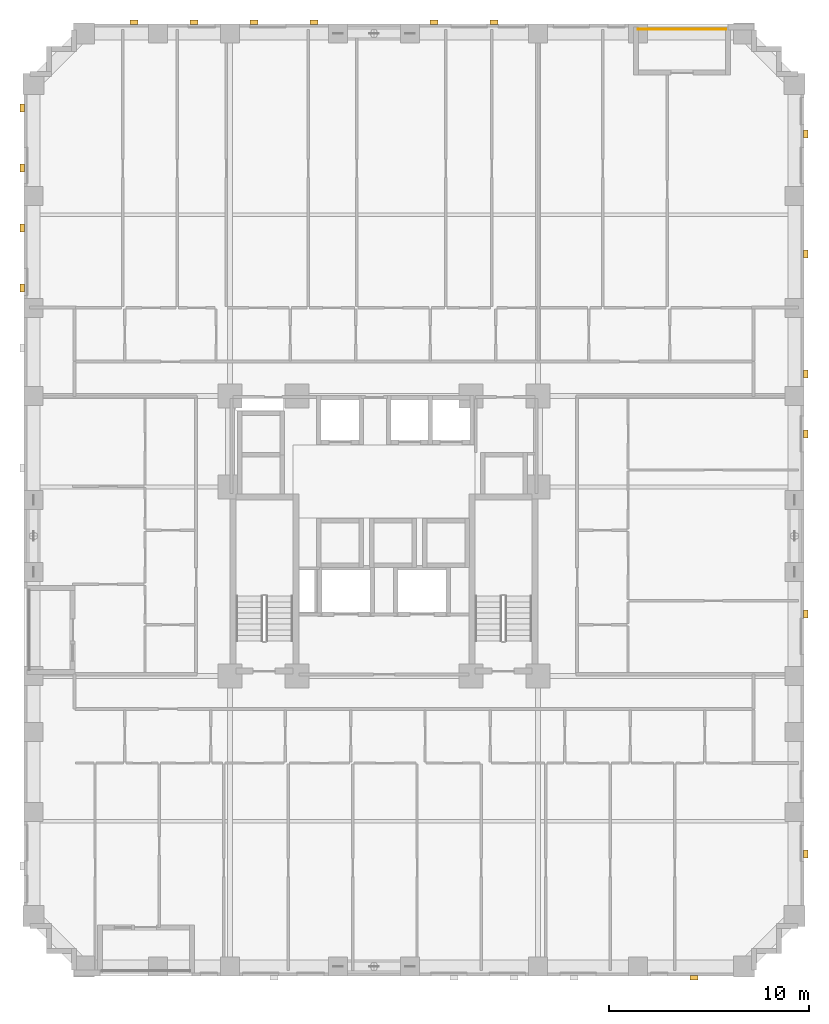
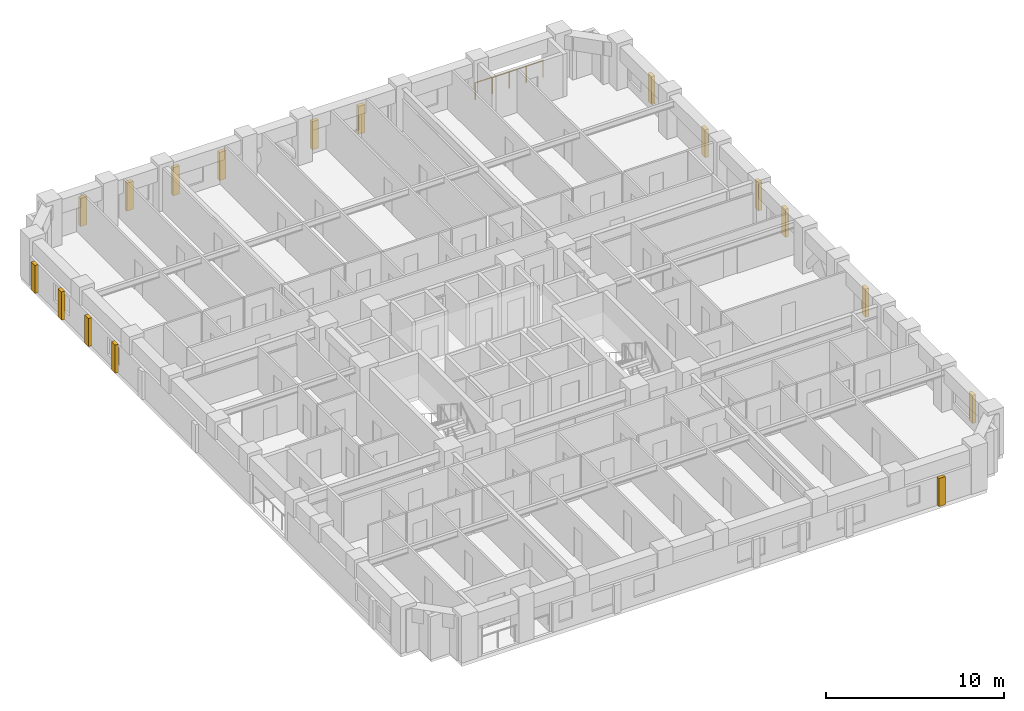
# One storey, part 14 of 14: 17 coverings, 1 railing.
"""IFC4 building model written with IfcOpenShell, lengths in metres."""

from ifc_helpers import new_model, si_unit, derived_unit, direction, frame, origin, origin_2d, place, context, subcontext, project, spatial, rectangle, circle, extrude, material, layer, layer_set, type_object, element, save


model = new_model("IFC4")

# Units and contexts
model_context = context("Model", 3, precision=1e-05, world=origin(), true_north=direction((0.0, 1.0)))
body_context = subcontext(model_context, "Body", "Model", "MODEL_VIEW")
ifc_project = project(units=[si_unit("LENGTHUNIT", "METRE"), si_unit("AREAUNIT", "SQUARE_METRE"), si_unit("VOLUMEUNIT", "CUBIC_METRE"), si_unit("PLANEANGLEUNIT", "RADIAN"), si_unit("MASSUNIT", "GRAM", prefix="KILO"), derived_unit("THERMALTRANSMITTANCEUNIT", [(si_unit("MASSUNIT", "GRAM", prefix="KILO"), 1), (si_unit("TIMEUNIT", "SECOND"), -3), (si_unit("THERMODYNAMICTEMPERATUREUNIT", "KELVIN"), -1)])], contexts=[model_context])

# Site, building, storey
site_placement = place(None, origin())
site = spatial("IfcSite", under=ifc_project, at=site_placement, CompositionType="ELEMENT")
building_placement = place(site_placement, origin())
building = spatial("IfcBuilding", under=site, at=building_placement, Name="Korrvale Station Residences", CompositionType="ELEMENT")
storey_placement = place(building_placement, frame((0.0, 0.0, 29.0)))
storey = spatial("IfcBuildingStorey", under=building, at=storey_placement, Name="L06", CompositionType="ELEMENT", Elevation=29.0)

# Coverings
ifc_material_1 = material(Name="Architectural precast concrete C45/55", Category="concrete")
ifc_layer = layer(ifc_material_1, 0.219970703125, Name="Architectural precast concrete C45/55")
ifc_layer_set = layer_set([ifc_layer], Name="Architectural precast concrete C45/55")
covering_type = type_object("IfcCoveringType", Name="COV-PIER-400", PredefinedType="CLADDING", material=ifc_layer_set)
for number, where, z_axis, x_axis, name in (
    (1, (41.0, -0.090087890625, 0.02490234375), (0.0, 0.0, 1.0), (1.0, 0.0, 0.0), "L06 Architectural Precast Facade Pier 01"),
    (2, (13.0, 47.68994140625, 0.02490234375), (0.0, 0.0, 1.0), (1.0, 0.0, 0.0), "L06 Architectural Precast Facade Pier 06"),
    (3, (16.0, 47.68994140625, 0.02490234375), (0.0, 0.0, 1.0), (1.0, 0.0, 0.0), "L06 Architectural Precast Facade Pier 07"),
    (4, (19.0, 47.68994140625, 0.02490234375), (0.0, 0.0, 1.0), (1.0, 0.0, 0.0), "L06 Architectural Precast Facade Pier 08"),
    (5, (22.0, 47.68994140625, 0.02490234375), (0.0, 0.0, 1.0), (1.0, 0.0, 0.0), "L06 Architectural Precast Facade Pier 09"),
    (6, (28.0, 47.68994140625, 0.02490234375), (0.0, 0.0, 1.0), (1.0, 0.0, 0.0), "L06 Architectural Precast Facade Pier 10"),
    (7, (31.0, 47.68994140625, 0.02490234375), (0.0, 0.0, 1.0), (1.0, 0.0, 0.0), "L06 Architectural Precast Facade Pier 11"),
    (8, (7.409912109375, 34.39990234375, 0.02490234375), (0.0, 0.0, 1.0), (0.0, 1.0, 0.0), "L06 Architectural Precast Facade Pier 15"),
    (9, (7.409912109375, 37.39990234375, 0.02490234375), (0.0, 0.0, 1.0), (0.0, 1.0, 0.0), "L06 Architectural Precast Facade Pier 16"),
    (10, (7.409912109375, 40.39990234375, 0.02490234375), (0.0, 0.0, 1.0), (0.0, 1.0, 0.0), "L06 Architectural Precast Facade Pier 17"),
    (11, (7.409912109375, 43.39990234375, 0.02490234375), (0.0, 0.0, 1.0), (0.0, 1.0, 0.0), "L06 Architectural Precast Facade Pier 18"),
    (12, (46.590087890625, 42.10009765625, 0.02490234375), (0.0, 0.0, 1.0), (0.0, 1.0, 0.0), "L06 Architectural Precast Facade Pier 19"),
    (13, (46.590087890625, 36.10009765625, 0.02490234375), (0.0, 0.0, 1.0), (0.0, 1.0, 0.0), "L06 Architectural Precast Facade Pier 20"),
    (14, (46.590087890625, 30.10009765625, 0.02490234375), (0.0, 0.0, 1.0), (0.0, 1.0, 0.0), "L06 Architectural Precast Facade Pier 21"),
    (15, (46.590087890625, 27.10009765625, 0.02490234375), (0.0, 0.0, 1.0), (0.0, 1.0, 0.0), "L06 Architectural Precast Facade Pier 22"),
    (16, (46.590087890625, 18.10009765625, 0.02490234375), (0.0, 0.0, 1.0), (0.0, 1.0, 0.0), "L06 Architectural Precast Facade Pier 23"),
    (17, (46.590087890625, 6.10009765625, 0.02490234375), (0.0, 0.0, 1.0), (0.0, 1.0, 0.0), "L06 Architectural Precast Facade Pier 24"),
):
    element("IfcCovering", number, at=place(storey_placement, frame(where, z_axis=z_axis, x_axis=x_axis)), inside=storey, type_object=covering_type, Name=name, PredefinedType="CLADDING", context=body_context, shape_type="SweptSolid", body=[
        extrude(rectangle(XDim=0.419921875, YDim=0.219970703125, at=origin_2d()), origin(), (0.0, 0.0, 1.0), 1.925048828125),
    ])

# Railing
ifc_material_2 = material(Name="Powder-coated aluminium picket loggia guard", Category="aluminium")
railing_type = type_object("IfcRailingType", Name="RLG-BAL-1150", PredefinedType="GUARDRAIL", material=ifc_material_2)
railing_placement = place(storey_placement, frame((38.199951171875, 47.330078125, 0.0)))
element("IfcRailing", 18, at=railing_placement, inside=storey, type_object=railing_type, Name="L06 Recessed Loggia Guardrail BAL-L06-N1", PredefinedType="GUARDRAIL", context=body_context, shape_type="SweptSolid", body=[
    extrude(circle(Radius=0.02392578125, at=origin_2d()), frame((0.0, 0.0, 1.1259765625), z_axis=(1.0, 0.0, 0.0), x_axis=(0.0, 1.0, 0.0)), (0.0, 0.0, 1.0), 4.400146484375),
    extrude(circle(Radius=0.02099609375, at=origin_2d()), origin(), (0.0, 0.0, 1.0), 1.101806640625),
    extrude(circle(Radius=0.02099609375, at=origin_2d()), frame((1.10009765625, 0.0, 0.0)), (0.0, 0.0, 1.0), 1.101806640625),
    extrude(circle(Radius=0.02099609375, at=origin_2d()), frame((2.2001953125, 0.0, 0.0)), (0.0, 0.0, 1.0), 1.101806640625),
    extrude(circle(Radius=0.02099609375, at=origin_2d()), frame((3.300048828125, 0.0, 0.0)), (0.0, 0.0, 1.0), 1.101806640625),
    extrude(circle(Radius=0.02099609375, at=origin_2d()), frame((4.400146484375, 0.0, 0.0)), (0.0, 0.0, 1.0), 1.101806640625),
])

save(model, "model.ifc")
